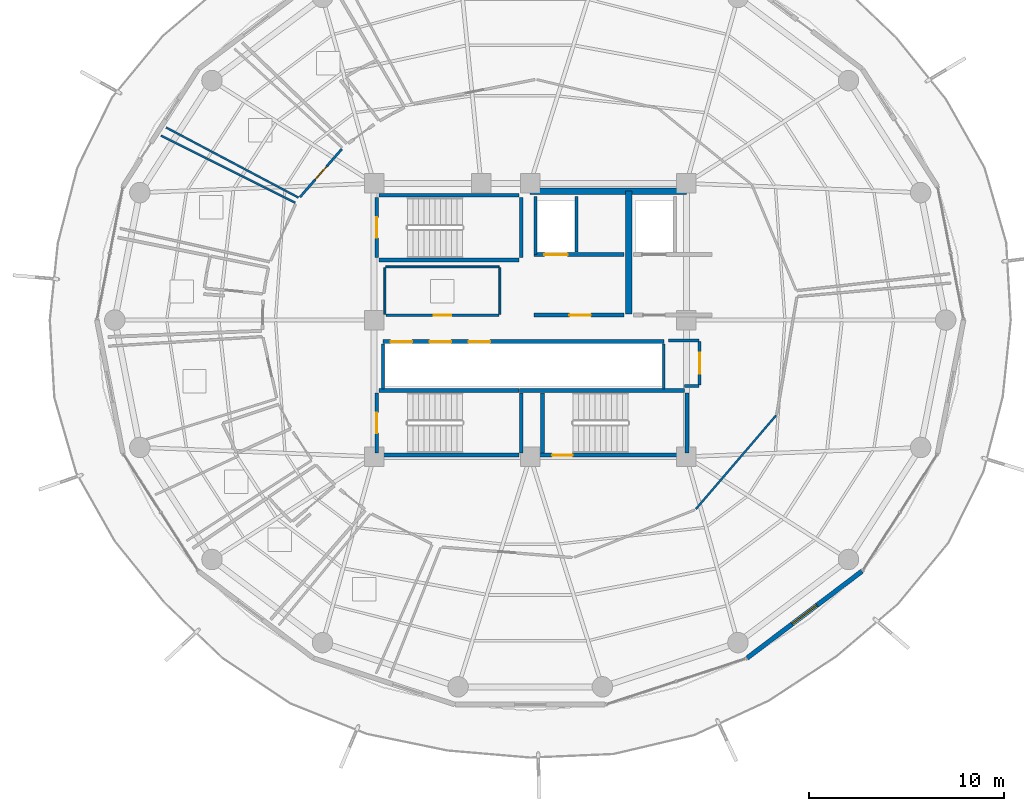
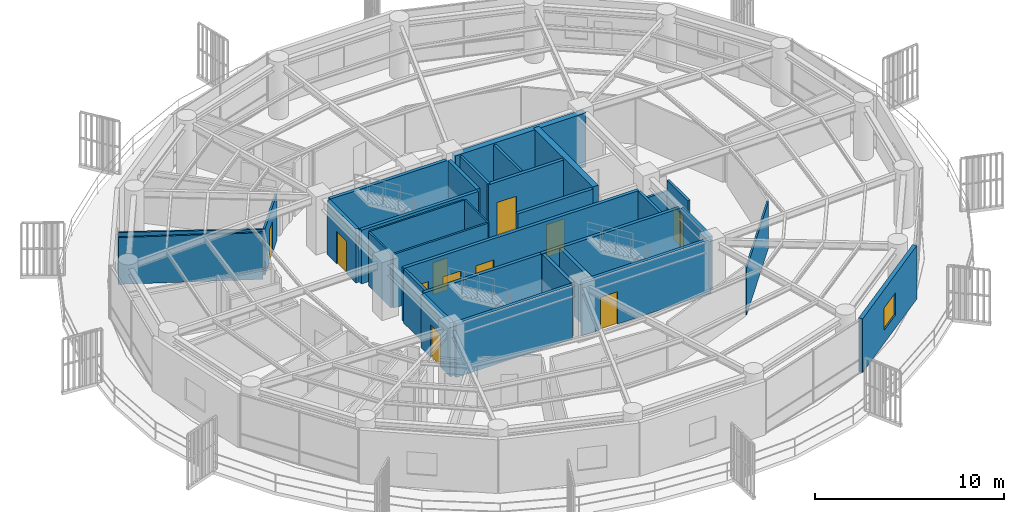
# One storey, part 24 of 30: 33 walls, 11 doors, 1 window, 12 openings.
"""IFC4 building model written with IfcOpenShell, lengths in metres."""

from ifc_helpers import new_model, si_unit, direction, frame, frame_2d, origin, place, context, subcontext, project, spatial, rectangle, extrude, material, layer, layer_set, type_object, element, fill, save


model = new_model("IFC4")

# Units and contexts
model_context = context("Model", 3, precision=1e-05, world=origin(), true_north=direction((0.0, 1.0)))
body_context = subcontext(model_context, "Body", "Model", "MODEL_VIEW")
ifc_project = project(units=[si_unit("LENGTHUNIT", "METRE"), si_unit("AREAUNIT", "SQUARE_METRE"), si_unit("VOLUMEUNIT", "CUBIC_METRE"), si_unit("PLANEANGLEUNIT", "RADIAN"), si_unit("MASSUNIT", "GRAM", prefix="KILO")], contexts=[model_context])

# Site, building, storey
site_placement = place(None, origin())
site = spatial("IfcSite", under=ifc_project, at=site_placement, CompositionType="ELEMENT")
building_placement = place(site_placement, origin())
building = spatial("IfcBuilding", under=site, at=building_placement, Name="Kelanora Arch Commons", CompositionType="ELEMENT")
storey_placement = place(building_placement, frame((0.0, 0.0, 234.449951171875)))
storey = spatial("IfcBuildingStorey", under=building, at=storey_placement, Name="L60", CompositionType="ELEMENT", Elevation=234.449951171875)

# Walls
ifc_material_1 = material(Name="Autoclaved aerated concrete blockwork with fire plaster", Category="masonry")
ifc_layer_1 = layer(ifc_material_1, 0.14990234375)
ifc_layer_set_1 = layer_set([ifc_layer_1], Name="Autoclaved aerated concrete blockwork with fire plaster")
wall_type_1 = type_object("IfcWallType", Name="W-COMP-150", PredefinedType="PARTITIONING", material=ifc_layer_set_1)
wall_1_placement = place(storey_placement, frame((74.280029296875, 61.35009765625, 0.0), z_axis=(0.0, 0.0, 1.0), x_axis=(0.0, 1.0, 0.0)))
element("IfcWall", 1, at=wall_1_placement, inside=storey, type_object=wall_type_1, Name="Firefighting Lift 1 West Shaft Wall L60", PredefinedType="PARTITIONING", context=body_context, shape_type="SweptSolid", body=[
    extrude(rectangle(XDim=2.969970703125, YDim=0.14990234375, at=frame_2d((1.48486328125, 0.0))), origin(), (0.0, 0.0, 1.0), 3.47998046875),
])
wall_2_placement = place(storey_placement, frame((76.360107421875, 61.47998046875, 0.0), z_axis=(0.0, 0.0, 1.0), x_axis=(0.0, 1.0, 0.0)))
element("IfcWall", 2, at=wall_2_placement, inside=storey, type_object=wall_type_1, Name="Firefighting Lift 1 East Shaft Wall L60", PredefinedType="PARTITIONING", context=body_context, shape_type="SweptSolid", body=[
    extrude(rectangle(XDim=2.840087890625, YDim=0.14990234375, at=frame_2d((1.419921875, 0.0))), origin(), (0.0, 0.0, 1.0), 3.47998046875),
])
for number, where, z_axis, x_axis, name in (
    (3, (66.4599609375, 54.47998046875, 0.0), (0.0, 0.0, 1.0), (0.0, 1.0, 0.0), "South Lift Bank West Wall L60"),
    (4, (80.840087890625, 54.47998046875, 0.0), (0.0, 0.0, 1.0), (0.0, 1.0, 0.0), "South Lift Bank East Wall L60"),
):
    element("IfcWall", number, at=place(storey_placement, frame(where, z_axis=z_axis, x_axis=x_axis)), inside=storey, type_object=wall_type_1, Name=name, PredefinedType="PARTITIONING", context=body_context, shape_type="SweptSolid", body=[
        extrude(rectangle(XDim=2.2900390625, YDim=0.14990234375, at=frame_2d((1.14501953125, 0.0))), origin(), (0.0, 0.0, 1.0), 3.47998046875),
    ])

# Wall, opening, door
wall_3_placement = place(storey_placement, frame((82.679931640625, 54.679931640625, 0.0), z_axis=(0.0, 0.0, 1.0), x_axis=(0.0, 1.0, 0.0)))
wall_3 = element("IfcWall", 5, at=wall_3_placement, inside=storey, type_object=wall_type_1, Name="Core Housekeeping Store L60 Entry Partition", PredefinedType="PARTITIONING", context=body_context, shape_type="SweptSolid", body=[
    extrude(rectangle(XDim=2.2099609375, YDim=0.14990234375, at=frame_2d((1.10498046875, 0.0))), origin(), (0.0, 0.0, 1.0), 3.47998046875),
])
opening_1_placement = place(wall_3_placement, frame((0.56494140625, 0.0, 0.0)))
opening_1 = element("IfcOpeningElement", 6, at=opening_1_placement, cuts=wall_3, Name="Opening D-PLT1", PredefinedType="OPENING", context=body_context, shape_type="SweptSolid", body=[
    extrude(rectangle(XDim=1.080078125, YDim=2.10009765625, at=frame_2d((0.5400390625, 1.050048828125))), frame((0.0, 0.0849609375, 0.0), z_axis=(0.0, -1.0, 0.0), x_axis=(1.0, 0.0, 0.0)), (0.0, 0.0, 1.0), 0.169921875),
])
ifc_material_2 = material(Name="Galvanised steel plant and riser fire door", Category="steel")
door_type_1 = type_object("IfcDoorType", Name="D-PLT-110", OperationType="NOTDEFINED", PredefinedType="DOOR", material=ifc_material_2)
door_1_placement = place(opening_1_placement, origin())
door_1 = element("IfcDoor", 7, at=door_1_placement, inside=storey, type_object=door_type_1, Name="Core Housekeeping Store L60 Door", OperationType="SINGLE_SWING_RIGHT", OverallHeight=2.10009765625, OverallWidth=1.080078125, PredefinedType="DOOR", context=body_context, shape_type="SweptSolid", body=[
    extrude(rectangle(XDim=1.080078125, YDim=2.10009765625, at=frame_2d((0.5400390625, 1.050048828125))), frame((0.0, 0.02490234375, 0.0), z_axis=(0.0, -1.0, 0.0), x_axis=(1.0, 0.0, 0.0)), (0.0, 0.0, 1.0), 0.050048828125),
])
fill(opening_1, door_1)

# Walls
wall_4_placement = place(storey_placement, frame((81.89990234375, 54.6201171875, 0.0), z_axis=(0.0, 0.0, 1.0), x_axis=(1.0, 0.0, 0.0)))
element("IfcWall", 8, at=wall_4_placement, inside=storey, type_object=wall_type_1, Name="Core Housekeeping Store L60 Enclosure Partition 1", PredefinedType="PARTITIONING", context=body_context, shape_type="SweptSolid", body=[
    extrude(rectangle(XDim=0.739990234375, YDim=0.14990234375, at=frame_2d((0.3701171875, 0.0))), origin(), (0.0, 0.0, 1.0), 2.775146484375),
])
wall_5_placement = place(storey_placement, frame((82.639892578125, 56.949951171875, 0.0), z_axis=(0.0, 0.0, 1.0), x_axis=(-1.0, 0.0, 0.0)))
element("IfcWall", 9, at=wall_5_placement, inside=storey, type_object=wall_type_1, Name="Core Housekeeping Store L60 Enclosure Partition 3", PredefinedType="PARTITIONING", context=body_context, shape_type="SweptSolid", body=[
    extrude(rectangle(XDim=1.5498046875, YDim=0.14990234375, at=frame_2d((0.77490234375, 0.0))), origin(), (0.0, 0.0, 1.0), 2.775146484375),
])
ifc_material_3 = material(Name="Concrete C50/60", Category="concrete")
ifc_layer_2 = layer(ifc_material_3, 0.35009765625)
ifc_layer_set_2 = layer_set([ifc_layer_2], Name="Concrete C50/60")
wall_type_2 = type_object("IfcWallType", Name="W-CORE-350", PredefinedType="SHEAR", material=ifc_layer_set_2)
wall_6_placement = place(storey_placement, frame((74.0, 64.60009765625, 0.0), z_axis=(0.0, 0.0, 1.0), x_axis=(1.0, 0.0, 0.0)))
element("IfcWall", 10, at=wall_6_placement, inside=storey, type_object=wall_type_2, Name="Core Shear Spine L60-CN-E", PredefinedType="SHEAR", context=body_context, shape_type="SweptSolid", body=[
    extrude(rectangle(XDim=8.0, YDim=0.35009765625, at=frame_2d((4.0, 0.0))), origin(), (0.0, 0.0, 1.0), 3.489990234375),
])
wall_7_placement = place(storey_placement, frame((79.050048828125, 58.300048828125, 0.0), z_axis=(0.0, 0.0, 1.0), x_axis=(0.0, 1.0, 0.0)))
element("IfcWall", 11, at=wall_7_placement, inside=storey, type_object=wall_type_2, Name="Core Shear Spine L60-CE-N", PredefinedType="SHEAR", context=body_context, shape_type="SweptSolid", body=[
    extrude(rectangle(XDim=6.300048828125, YDim=0.35009765625, at=frame_2d((3.14990234375, 0.0))), origin(), (0.0, 0.0, 1.0), 3.489990234375),
])

# Wall, opening, window
ifc_material_4 = material(Name="Precast concrete C40/50 upper-zone terracotta rainscreen", Category="masonry")
ifc_layer_3 = layer(ifc_material_4, 0.239990234375)
ifc_layer_set_3 = layer_set([ifc_layer_3], Name="Precast concrete C40/50 upper-zone terracotta rainscreen")
wall_type_3 = type_object("IfcWallType", Name="W-EXT-TC2", PredefinedType="SOLIDWALL", material=ifc_layer_set_3)
wall_8_placement = place(storey_placement, frame((85.112060546875, 40.6884765625, 0.0), z_axis=(0.0, 0.0, 1.0), x_axis=(0.797701674595, 0.603052268338, 0.0)))
wall_8 = element("IfcWall", 12, at=wall_8_placement, inside=storey, type_object=wall_type_3, Name="Terracotta Exterior Wall L60-B15", PredefinedType="SOLIDWALL", context=body_context, shape_type="SweptSolid", body=[
    extrude(rectangle(XDim=7.373779296875, YDim=0.239990234375, at=frame_2d((3.68701171875, 0.0))), origin(), (0.0, 0.0, 1.0), 3.47509765625),
])
opening_2_placement = place(wall_8_placement, frame((2.886962890625, 0.0, 0.85009765625)))
opening_2 = element("IfcOpeningElement", 13, at=opening_2_placement, cuts=wall_8, Name="Opening WN-01", PredefinedType="OPENING", context=body_context, shape_type="SweptSolid", body=[
    extrude(rectangle(XDim=1.60009765625, YDim=1.449951171875, at=frame_2d((0.800048828125, 0.72509765625))), frame((0.0, 0.1298828125, 0.0), z_axis=(0.0, -1.0, 0.0), x_axis=(1.0, 0.0, 0.0)), (0.0, 0.0, 1.0), 0.260009765625),
])
ifc_material_5 = material(Name="Terracotta-anodised aluminium frame with operable low-E glazing", Category="masonry")
window_type = type_object("IfcWindowType", Name="WIN-CL-18", PartitioningType="DOUBLE_PANEL_VERTICAL", PredefinedType="WINDOW", material=ifc_material_5)
window_placement = place(opening_2_placement, origin())
window = element("IfcWindow", 14, at=window_placement, inside=storey, type_object=window_type, Name="Co-Living Operable Window L60-B15", OverallHeight=1.449951171875, OverallWidth=1.60009765625, PartitioningType="SINGLE_PANEL", PredefinedType="WINDOW", context=body_context, shape_type="SweptSolid", body=[
    extrude(rectangle(XDim=1.60009765625, YDim=1.449951171875, at=frame_2d((0.800048828125, 0.72509765625))), frame((0.0, 0.030029296875, 0.0), z_axis=(0.0, -1.0, 0.0), x_axis=(1.0, 0.0, 0.0)), (0.0, 0.0, 1.0), 0.06005859375),
])
fill(opening_2, window)

# Wall, opening, door
ifc_material_6 = material(Name="Concrete C40/50", Category="concrete")
ifc_layer_4 = layer(ifc_material_6, 0.199951171875)
ifc_layer_set_4 = layer_set([ifc_layer_4], Name="Concrete C40/50")
wall_type_4 = type_object("IfcWallType", Name="W-FFL-200", PredefinedType="SOLIDWALL", material=ifc_layer_set_4)
wall_9_placement = place(storey_placement, frame((74.199951171875, 61.35009765625, 0.0), z_axis=(0.0, 0.0, 1.0), x_axis=(1.0, 0.0, 0.0)))
wall_9 = element("IfcWall", 15, at=wall_9_placement, inside=storey, type_object=wall_type_4, Name="Firefighting Lift 1 Shaft Front L60", PredefinedType="SOLIDWALL", context=body_context, shape_type="SweptSolid", body=[
    extrude(rectangle(XDim=4.60009765625, YDim=0.199951171875, at=frame_2d((2.300048828125, 0.0))), origin(), (0.0, 0.0, 1.0), 3.47998046875),
])
opening_3_placement = place(wall_9_placement, frame((0.52001953125, 0.0, 0.0)))
opening_3 = element("IfcOpeningElement", 16, at=opening_3_placement, cuts=wall_9, Name="Opening LD-FF", PredefinedType="OPENING", context=body_context, shape_type="SweptSolid", body=[
    extrude(rectangle(XDim=1.199951171875, YDim=2.14990234375, at=frame_2d((0.60009765625, 1.074951171875))), frame((0.0, 0.10986328125, 0.0), z_axis=(0.0, -1.0, 0.0), x_axis=(1.0, 0.0, 0.0)), (0.0, 0.0, 1.0), 0.219970703125),
])
ifc_material_7 = material(Name="Fire-rated firefighters lift sliding landing door")
door_type_2 = type_object("IfcDoorType", Name="D-LIFT-FF", OperationType="NOTDEFINED", PredefinedType="DOOR", material=ifc_material_7)
door_2_placement = place(opening_3_placement, origin())
door_2 = element("IfcDoor", 17, at=door_2_placement, inside=storey, type_object=door_type_2, Name="Firefighting Lift LF-FF1 Landing Door L60", OperationType="DOUBLE_DOOR_SLIDING", OverallHeight=2.14990234375, OverallWidth=1.199951171875, PredefinedType="DOOR", context=body_context, shape_type="SweptSolid", body=[
    extrude(rectangle(XDim=1.199951171875, YDim=2.14990234375, at=frame_2d((0.60009765625, 1.074951171875))), frame((0.0, 0.02490234375, 0.0), z_axis=(0.0, -1.0, 0.0), x_axis=(1.0, 0.0, 0.0)), (0.0, 0.0, 1.0), 0.050048828125),
])
fill(opening_3, door_2)

wall_10_placement = place(storey_placement, frame((74.199951171875, 58.25, 0.0), z_axis=(0.0, 0.0, 1.0), x_axis=(1.0, 0.0, 0.0)))
wall_10 = element("IfcWall", 18, at=wall_10_placement, inside=storey, type_object=wall_type_4, Name="Firefighting Lobby 1 Enclosure Wall L60", PredefinedType="SOLIDWALL", context=body_context, shape_type="SweptSolid", body=[
    extrude(rectangle(XDim=4.60009765625, YDim=0.199951171875, at=frame_2d((2.300048828125, 0.0))), origin(), (0.0, 0.0, 1.0), 3.47998046875),
])
opening_4_placement = place(wall_10_placement, frame((1.800048828125, 0.0, 0.0)))
opening_4 = element("IfcOpeningElement", 19, at=opening_4_placement, cuts=wall_10, Name="Opening D-FFL1", PredefinedType="OPENING", context=body_context, shape_type="SweptSolid", body=[
    extrude(rectangle(XDim=1.10009765625, YDim=2.10009765625, at=frame_2d((0.550048828125, 1.050048828125))), frame((0.0, 0.10986328125, 0.0), z_axis=(0.0, -1.0, 0.0), x_axis=(1.0, 0.0, 0.0)), (0.0, 0.0, 1.0), 0.219970703125),
])
ifc_material_8 = material(Name="Smoke-sealed firefighting lobby fire door")
door_type_3 = type_object("IfcDoorType", Name="D-FFL-110", OperationType="NOTDEFINED", PredefinedType="DOOR", material=ifc_material_8)
door_3_placement = place(opening_4_placement, frame((1.10009765625, 0.0, 0.0), z_axis=(0.0, 0.0, 1.0), x_axis=(-1.0, 0.0, 0.0)))
door_3 = element("IfcDoor", 20, at=door_3_placement, inside=storey, type_object=door_type_3, Name="Firefighting Lobby 1 Door L60", OperationType="SINGLE_SWING_LEFT", OverallHeight=2.10009765625, OverallWidth=1.10009765625, PredefinedType="DOOR", context=body_context, shape_type="SweptSolid", body=[
    extrude(rectangle(XDim=1.10009765625, YDim=2.10009765625, at=frame_2d((0.550048828125, 1.050048828125))), frame((0.0, 0.02490234375, 0.0), z_axis=(0.0, -1.0, 0.0), x_axis=(1.0, 0.0, 0.0)), (0.0, 0.0, 1.0), 0.050048828125),
])
fill(opening_4, door_3)

# Wall, openings, doors
wall_11_placement = place(storey_placement, frame((66.449951171875, 56.89990234375, 0.0), z_axis=(0.0, 0.0, 1.0), x_axis=(1.0, 0.0, 0.0)))
wall_11 = element("IfcWall", 21, at=wall_11_placement, inside=storey, type_object=wall_type_4, Name="Mid/High/Express Lift Shaft Front L60", PredefinedType="SOLIDWALL", context=body_context, shape_type="SweptSolid", body=[
    extrude(rectangle(XDim=14.400146484375, YDim=0.199951171875, at=frame_2d((7.2001953125, 0.0))), origin(), (0.0, 0.0, 1.0), 3.47998046875),
])
opening_5_placement = place(wall_11_placement, frame((0.39990234375, 0.0, 0.0)))
opening_5 = element("IfcOpeningElement", 22, at=opening_5_placement, cuts=wall_11, Name="Opening LD-01", PredefinedType="OPENING", context=body_context, shape_type="SweptSolid", body=[
    extrude(rectangle(XDim=1.10009765625, YDim=2.10009765625, at=frame_2d((0.550048828125, 1.050048828125))), frame((0.0, 0.10986328125, 0.0), z_axis=(0.0, -1.0, 0.0), x_axis=(1.0, 0.0, 0.0)), (0.0, 0.0, 1.0), 0.219970703125),
])
opening_6_placement = place(wall_11_placement, frame((2.39990234375, 0.0, 0.0)))
opening_6 = element("IfcOpeningElement", 23, at=opening_6_placement, cuts=wall_11, Name="Opening LD-01", PredefinedType="OPENING", context=body_context, shape_type="SweptSolid", body=[
    extrude(rectangle(XDim=1.10009765625, YDim=2.10009765625, at=frame_2d((0.550048828125, 1.050048828125))), frame((0.0, 0.10986328125, 0.0), z_axis=(0.0, -1.0, 0.0), x_axis=(1.0, 0.0, 0.0)), (0.0, 0.0, 1.0), 0.219970703125),
])
opening_7_placement = place(wall_11_placement, frame((4.39990234375, 0.0, 0.0)))
opening_7 = element("IfcOpeningElement", 24, at=opening_7_placement, cuts=wall_11, Name="Opening LD-01", PredefinedType="OPENING", context=body_context, shape_type="SweptSolid", body=[
    extrude(rectangle(XDim=1.10009765625, YDim=2.10009765625, at=frame_2d((0.550048828125, 1.050048828125))), frame((0.0, 0.10986328125, 0.0), z_axis=(0.0, -1.0, 0.0), x_axis=(1.0, 0.0, 0.0)), (0.0, 0.0, 1.0), 0.219970703125),
])
ifc_material_9 = material(Name="Stainless steel passenger lift sliding landing door", Category="steel")
door_type_4 = type_object("IfcDoorType", Name="D-LIFT-110", OperationType="NOTDEFINED", PredefinedType="DOOR", material=ifc_material_9)
door_4_placement = place(opening_5_placement, origin())
door_4 = element("IfcDoor", 25, at=door_4_placement, inside=storey, type_object=door_type_4, Name="Passenger Lift LF-P4 Landing Door L60", OperationType="DOUBLE_DOOR_SLIDING", OverallHeight=2.10009765625, OverallWidth=1.10009765625, PredefinedType="DOOR", context=body_context, shape_type="SweptSolid", body=[
    extrude(rectangle(XDim=1.10009765625, YDim=2.10009765625, at=frame_2d((0.550048828125, 1.050048828125))), frame((0.0, 0.02490234375, 0.0), z_axis=(0.0, -1.0, 0.0), x_axis=(1.0, 0.0, 0.0)), (0.0, 0.0, 1.0), 0.050048828125),
])
fill(opening_5, door_4)
door_5_placement = place(opening_6_placement, origin())
door_5 = element("IfcDoor", 26, at=door_5_placement, inside=storey, type_object=door_type_4, Name="Passenger Lift LF-P5 Landing Door L60", OperationType="DOUBLE_DOOR_SLIDING", OverallHeight=2.10009765625, OverallWidth=1.10009765625, PredefinedType="DOOR", context=body_context, shape_type="SweptSolid", body=[
    extrude(rectangle(XDim=1.10009765625, YDim=2.10009765625, at=frame_2d((0.550048828125, 1.050048828125))), frame((0.0, 0.02490234375, 0.0), z_axis=(0.0, -1.0, 0.0), x_axis=(1.0, 0.0, 0.0)), (0.0, 0.0, 1.0), 0.050048828125),
])
fill(opening_6, door_5)
door_6_placement = place(opening_7_placement, origin())
door_6 = element("IfcDoor", 27, at=door_6_placement, inside=storey, type_object=door_type_4, Name="Passenger Lift LF-P6 Landing Door L60", OperationType="DOUBLE_DOOR_SLIDING", OverallHeight=2.10009765625, OverallWidth=1.10009765625, PredefinedType="DOOR", context=body_context, shape_type="SweptSolid", body=[
    extrude(rectangle(XDim=1.10009765625, YDim=2.10009765625, at=frame_2d((0.550048828125, 1.050048828125))), frame((0.0, 0.02490234375, 0.0), z_axis=(0.0, -1.0, 0.0), x_axis=(1.0, 0.0, 0.0)), (0.0, 0.0, 1.0), 0.050048828125),
])
fill(opening_7, door_6)

# Walls
ifc_material_10 = material(Name="Lightweight fire-rated acoustic stud partition")
ifc_layer_5 = layer(ifc_material_10, 0.10009765625)
ifc_layer_set_5 = layer_set([ifc_layer_5], Name="Lightweight fire-rated acoustic stud partition")
wall_type_5 = type_object("IfcWallType", Name="W-PART-100", PredefinedType="PARTITIONING", material=ifc_layer_set_5)
wall_12_placement = place(storey_placement, frame((72.449951171875, 58.2900390625, 0.0), z_axis=(0.0, 0.0, 1.0), x_axis=(0.0, 1.0, 0.0)))
element("IfcWall", 28, at=wall_12_placement, inside=storey, type_object=wall_type_5, Name="Reclaimed Core Study Pod Lounge L60 Enclosure Partition 2", PredefinedType="PARTITIONING", context=body_context, shape_type="SweptSolid", body=[
    extrude(rectangle(XDim=2.389892578125, YDim=0.10009765625, at=frame_2d((1.19482421875, 0.0))), origin(), (0.0, 0.0, 1.0), 3.47998046875),
])
wall_13_placement = place(storey_placement, frame((72.409912109375, 60.719970703125, 0.0), z_axis=(0.0, 0.0, 1.0), x_axis=(-1.0, 0.0, 0.0)))
element("IfcWall", 29, at=wall_13_placement, inside=storey, type_object=wall_type_5, Name="Reclaimed Core Study Pod Lounge L60 Enclosure Partition 3", PredefinedType="PARTITIONING", context=body_context, shape_type="SweptSolid", body=[
    extrude(rectangle(XDim=5.81982421875, YDim=0.10009765625, at=frame_2d((2.909912109375, 0.0))), origin(), (0.0, 0.0, 1.0), 3.47998046875),
])
wall_14_placement = place(storey_placement, frame((66.550048828125, 60.679931640625, 0.0), z_axis=(0.0, 0.0, 1.0), x_axis=(0.0, -1.0, 0.0)))
element("IfcWall", 30, at=wall_14_placement, inside=storey, type_object=wall_type_5, Name="Reclaimed Core Study Pod Lounge L60 Enclosure Partition 4", PredefinedType="PARTITIONING", context=body_context, shape_type="SweptSolid", body=[
    extrude(rectangle(XDim=2.389892578125, YDim=0.10009765625, at=frame_2d((1.19482421875, 0.0))), origin(), (0.0, 0.0, 1.0), 3.47998046875),
])
wall_15_placement = place(storey_placement, frame((82.488037109375, 48.3203125, 0.0), z_axis=(0.0, 0.0, 1.0), x_axis=(0.650415654335, 0.759578486133, 0.0)))
element("IfcWall", 31, at=wall_15_placement, inside=storey, type_object=wall_type_5, Name="South-East Shared Study Commons L60 Enclosure Partition 3", PredefinedType="PARTITIONING", context=body_context, shape_type="SweptSolid", body=[
    extrude(rectangle(XDim=6.31591796875, YDim=0.10009765625, at=frame_2d((3.157958984375, 0.0))), origin(), (0.0, 0.0, 1.0), 3.025146484375),
])
wall_16_placement = place(storey_placement, frame((62.131591796875, 64.271728515625, 0.0), z_axis=(0.0, 0.0, 1.0), x_axis=(-0.883813456485, 0.467839474752, 0.0)))
element("IfcWall", 32, at=wall_16_placement, inside=storey, type_object=wall_type_5, Name="Social Sky Lounge L60-02 Enclosure Partition 2", PredefinedType="PARTITIONING", context=body_context, shape_type="SweptSolid", body=[
    extrude(rectangle(XDim=7.672607421875, YDim=0.10009765625, at=frame_2d((3.83642578125, 0.0))), origin(), (0.0, 0.0, 1.0), 3.025146484375),
])
wall_17_placement = place(storey_placement, frame((55.087890625, 67.447998046875, 0.0), z_axis=(0.0, 0.0, 1.0), x_axis=(0.894433542293, -0.447200892688, 0.0)))
element("IfcWall", 33, at=wall_17_placement, inside=storey, type_object=wall_type_5, Name="Shared Cluster Kitchen L60-03 Enclosure Partition 4", PredefinedType="PARTITIONING", context=body_context, shape_type="SweptSolid", body=[
    extrude(rectangle(XDim=7.687744140625, YDim=0.10009765625, at=frame_2d((3.84375, 0.0))), origin(), (0.0, 0.0, 1.0), 3.025146484375),
])

# Wall, opening, door
ifc_material_11 = material(Name="Acoustic twin-stud fire-rated gypsum partition")
ifc_layer_6 = layer(ifc_material_11, 0.1201171875)
ifc_layer_set_6 = layer_set([ifc_layer_6], Name="Acoustic twin-stud fire-rated gypsum partition")
wall_type_6 = type_object("IfcWallType", Name="W-PART-120", PredefinedType="PARTITIONING", material=ifc_layer_set_6)
wall_18_placement = place(storey_placement, frame((66.610107421875, 58.25, 0.0), z_axis=(0.0, 0.0, 1.0), x_axis=(1.0, 0.0, 0.0)))
wall_18 = element("IfcWall", 34, at=wall_18_placement, inside=storey, type_object=wall_type_6, Name="Reclaimed Core Study Pod Lounge L60 Entry Partition", PredefinedType="PARTITIONING", context=body_context, shape_type="SweptSolid", body=[
    extrude(rectangle(XDim=5.77978515625, YDim=0.1201171875, at=frame_2d((2.889892578125, 0.0))), origin(), (0.0, 0.0, 1.0), 3.47998046875),
])
opening_8_placement = place(wall_18_placement, frame((2.43994140625, 0.0, 0.0)))
opening_8 = element("IfcOpeningElement", 35, at=opening_8_placement, cuts=wall_18, Name="Opening D-RM1", PredefinedType="OPENING", context=body_context, shape_type="SweptSolid", body=[
    extrude(rectangle(XDim=0.89990234375, YDim=2.080078125, at=frame_2d((0.449951171875, 1.0400390625))), frame((0.0, 0.070068359375, 0.0), z_axis=(0.0, -1.0, 0.0), x_axis=(1.0, 0.0, 0.0)), (0.0, 0.0, 1.0), 0.14013671875),
])
ifc_material_12 = material(Name="Acoustic fire-rated timber study and lounge door", Category="wood")
door_type_5 = type_object("IfcDoorType", Name="D-ROOM-90", OperationType="NOTDEFINED", PredefinedType="DOOR", material=ifc_material_12)
door_7_placement = place(opening_8_placement, origin())
door_7 = element("IfcDoor", 36, at=door_7_placement, inside=storey, type_object=door_type_5, Name="Reclaimed Core Study Pod Lounge L60 Door", OperationType="SINGLE_SWING_LEFT", OverallHeight=2.080078125, OverallWidth=0.89990234375, PredefinedType="DOOR", context=body_context, shape_type="SweptSolid", body=[
    extrude(rectangle(XDim=0.89990234375, YDim=2.080078125, at=frame_2d((0.449951171875, 1.0400390625))), frame((0.0, 0.02490234375, 0.0), z_axis=(0.0, -1.0, 0.0), x_axis=(1.0, 0.0, 0.0)), (0.0, 0.0, 1.0), 0.050048828125),
])
fill(opening_8, door_7)

wall_19_placement = place(storey_placement, frame((64.3515625, 66.7626953125, 0.0), z_axis=(0.0, 0.0, 1.0), x_axis=(-0.656587461417, -0.75424989593, 0.0)))
wall_19 = element("IfcWall", 37, at=wall_19_placement, inside=storey, type_object=wall_type_6, Name="Social Sky Lounge L60-02 Entry Partition", PredefinedType="PARTITIONING", context=body_context, shape_type="SweptSolid", body=[
    extrude(rectangle(XDim=3.267333984375, YDim=0.1201171875, at=frame_2d((1.6337890625, 0.0))), origin(), (0.0, 0.0, 1.0), 3.025146484375),
])
opening_9_placement = place(wall_19_placement, frame((1.18408203125, 0.0, 0.0)))
opening_9 = element("IfcOpeningElement", 38, at=opening_9_placement, cuts=wall_19, Name="Opening D-RM1", PredefinedType="OPENING", context=body_context, shape_type="SweptSolid", body=[
    extrude(rectangle(XDim=0.89990234375, YDim=2.080078125, at=frame_2d((0.449951171875, 1.0400390625))), frame((0.0, 0.070068359375, 0.0), z_axis=(0.0, -1.0, 0.0), x_axis=(1.0, 0.0, 0.0)), (0.0, 0.0, 1.0), 0.14013671875),
])
door_8_placement = place(opening_9_placement, origin())
door_8 = element("IfcDoor", 39, at=door_8_placement, inside=storey, type_object=door_type_5, Name="Social Sky Lounge L60-02 Door", OperationType="SINGLE_SWING_RIGHT", OverallHeight=2.080078125, OverallWidth=0.89990234375, PredefinedType="DOOR", context=body_context, shape_type="SweptSolid", body=[
    extrude(rectangle(XDim=0.89990234375, YDim=2.080078125, at=frame_2d((0.449951171875, 1.0400390625))), frame((0.0, 0.02490234375, 0.0), z_axis=(0.0, -1.0, 0.0), x_axis=(1.0, 0.0, 0.0)), (0.0, 0.0, 1.0), 0.050048828125),
])
fill(opening_9, door_8)

# Walls
ifc_layer_7 = layer(ifc_material_6, 0.199951171875)
ifc_layer_set_7 = layer_set([ifc_layer_7], Name="Concrete C40/50")
wall_type_7 = type_object("IfcWallType", Name="W-STAIR-200", PredefinedType="SHEAR", material=ifc_layer_set_7)
wall_20_placement = place(storey_placement, frame((66.260009765625, 61.080078125, 0.0), z_axis=(0.0, 0.0, 1.0), x_axis=(1.0, 0.0, 0.0)))
element("IfcWall", 40, at=wall_20_placement, inside=storey, type_object=wall_type_7, Name="Stair ST-T1 Shaft Wall S L60", PredefinedType="SHEAR", context=body_context, shape_type="SweptSolid", body=[
    extrude(rectangle(XDim=7.159912109375, YDim=0.199951171875, at=frame_2d((3.580078125, 0.0))), origin(), (0.0, 0.0, 1.0), 3.489990234375),
])
wall_21_placement = place(storey_placement, frame((73.5400390625, 61.199951171875, 0.0), z_axis=(0.0, 0.0, 1.0), x_axis=(0.0, 1.0, 0.0)))
element("IfcWall", 41, at=wall_21_placement, inside=storey, type_object=wall_type_7, Name="Stair ST-T1 Shaft Wall E L60", PredefinedType="SHEAR", context=body_context, shape_type="SweptSolid", body=[
    extrude(rectangle(XDim=3.070068359375, YDim=0.199951171875, at=frame_2d((1.53515625, 0.0))), origin(), (0.0, 0.0, 1.0), 3.489990234375),
])
wall_22_placement = place(storey_placement, frame((73.419921875, 64.389892578125, 0.0), z_axis=(0.0, 0.0, 1.0), x_axis=(-1.0, 0.0, 0.0)))
element("IfcWall", 42, at=wall_22_placement, inside=storey, type_object=wall_type_7, Name="Stair ST-T1 Shaft Wall N L60", PredefinedType="SHEAR", context=body_context, shape_type="SweptSolid", body=[
    extrude(rectangle(XDim=7.159912109375, YDim=0.199951171875, at=frame_2d((3.580078125, 0.0))), origin(), (0.0, 0.0, 1.0), 3.489990234375),
])

# Wall, opening, door
wall_23_placement = place(storey_placement, frame((66.139892578125, 64.27001953125, 0.0), z_axis=(0.0, 0.0, 1.0), x_axis=(0.0, -1.0, 0.0)))
wall_23 = element("IfcWall", 43, at=wall_23_placement, inside=storey, type_object=wall_type_7, Name="Stair ST-T1 Shaft Wall W L60", PredefinedType="SHEAR", context=body_context, shape_type="SweptSolid", body=[
    extrude(rectangle(XDim=3.070068359375, YDim=0.199951171875, at=frame_2d((1.53515625, 0.0))), origin(), (0.0, 0.0, 1.0), 3.489990234375),
])
opening_10_placement = place(wall_23_placement, frame((1.010009765625, 0.0, 0.0)))
opening_10 = element("IfcOpeningElement", 44, at=opening_10_placement, cuts=wall_23, Name="Opening D-ST1", PredefinedType="OPENING", context=body_context, shape_type="SweptSolid", body=[
    extrude(rectangle(XDim=1.050048828125, YDim=2.10009765625, at=frame_2d((0.52490234375, 1.050048828125))), frame((0.0, 0.10986328125, 0.0), z_axis=(0.0, -1.0, 0.0), x_axis=(1.0, 0.0, 0.0)), (0.0, 0.0, 1.0), 0.219970703125),
])
ifc_material_13 = material(Name="Steel fire-rated stairwell escape door", Category="steel")
door_type_6 = type_object("IfcDoorType", Name="D-STAIR-110", OperationType="NOTDEFINED", PredefinedType="DOOR", material=ifc_material_13)
door_9_placement = place(opening_10_placement, origin())
door_9 = element("IfcDoor", 45, at=door_9_placement, inside=storey, type_object=door_type_6, Name="Stair ST-T1 Escape Door L60", OperationType="SINGLE_SWING_LEFT", OverallHeight=2.10009765625, OverallWidth=1.050048828125, PredefinedType="DOOR", context=body_context, shape_type="SweptSolid", body=[
    extrude(rectangle(XDim=1.050048828125, YDim=2.10009765625, at=frame_2d((0.52490234375, 1.050048828125))), frame((0.0, 0.02490234375, 0.0), z_axis=(0.0, -1.0, 0.0), x_axis=(1.0, 0.0, 0.0)), (0.0, 0.0, 1.0), 0.050048828125),
])
fill(opening_10, door_9)

wall_24_placement = place(storey_placement, frame((74.0, 51.080078125, 0.0), z_axis=(0.0, 0.0, 1.0), x_axis=(1.0, 0.0, 0.0)))
wall_24 = element("IfcWall", 46, at=wall_24_placement, inside=storey, type_object=wall_type_7, Name="Stair ST-T2 Shaft Wall S L60", PredefinedType="SHEAR", context=body_context, shape_type="SweptSolid", body=[
    extrude(rectangle(XDim=7.89990234375, YDim=0.199951171875, at=frame_2d((3.949951171875, 0.0))), origin(), (0.0, 0.0, 1.0), 3.489990234375),
])
opening_11_placement = place(wall_24_placement, frame((1.1201171875, 0.0, 0.0)))
opening_11 = element("IfcOpeningElement", 47, at=opening_11_placement, cuts=wall_24, Name="Opening D-ST1", PredefinedType="OPENING", context=body_context, shape_type="SweptSolid", body=[
    extrude(rectangle(XDim=1.050048828125, YDim=2.10009765625, at=frame_2d((0.52490234375, 1.050048828125))), frame((0.0, 0.10986328125, 0.0), z_axis=(0.0, -1.0, 0.0), x_axis=(1.0, 0.0, 0.0)), (0.0, 0.0, 1.0), 0.219970703125),
])
door_10_placement = place(opening_11_placement, origin())
door_10 = element("IfcDoor", 48, at=door_10_placement, inside=storey, type_object=door_type_6, Name="Stair ST-T2 Escape Door L60", OperationType="SINGLE_SWING_LEFT", OverallHeight=2.10009765625, OverallWidth=1.050048828125, PredefinedType="DOOR", context=body_context, shape_type="SweptSolid", body=[
    extrude(rectangle(XDim=1.050048828125, YDim=2.10009765625, at=frame_2d((0.52490234375, 1.050048828125))), frame((0.0, 0.02490234375, 0.0), z_axis=(0.0, -1.0, 0.0), x_axis=(1.0, 0.0, 0.0)), (0.0, 0.0, 1.0), 0.050048828125),
])
fill(opening_11, door_10)

# Walls
wall_25_placement = place(storey_placement, frame((82.02001953125, 51.199951171875, 0.0), z_axis=(0.0, 0.0, 1.0), x_axis=(0.0, 1.0, 0.0)))
element("IfcWall", 49, at=wall_25_placement, inside=storey, type_object=wall_type_7, Name="Stair ST-T2 Shaft Wall E L60", PredefinedType="SHEAR", context=body_context, shape_type="SweptSolid", body=[
    extrude(rectangle(XDim=3.070068359375, YDim=0.199951171875, at=frame_2d((1.53515625, 0.0))), origin(), (0.0, 0.0, 1.0), 3.489990234375),
])
wall_26_placement = place(storey_placement, frame((81.89990234375, 54.389892578125, 0.0), z_axis=(0.0, 0.0, 1.0), x_axis=(-1.0, 0.0, 0.0)))
element("IfcWall", 50, at=wall_26_placement, inside=storey, type_object=wall_type_7, Name="Stair ST-T2 Shaft Wall N L60", PredefinedType="SHEAR", context=body_context, shape_type="SweptSolid", body=[
    extrude(rectangle(XDim=8.4599609375, YDim=0.199951171875, at=frame_2d((4.22998046875, 0.0))), origin(), (0.0, 0.0, 1.0), 3.489990234375),
])
wall_27_placement = place(storey_placement, frame((74.6201171875, 54.27001953125, 0.0), z_axis=(0.0, 0.0, 1.0), x_axis=(0.0, -1.0, 0.0)))
element("IfcWall", 51, at=wall_27_placement, inside=storey, type_object=wall_type_7, Name="Stair ST-T2 Shaft Wall W L60", PredefinedType="SHEAR", context=body_context, shape_type="SweptSolid", body=[
    extrude(rectangle(XDim=3.070068359375, YDim=0.199951171875, at=frame_2d((1.53515625, 0.0))), origin(), (0.0, 0.0, 1.0), 3.489990234375),
])
wall_28_placement = place(storey_placement, frame((66.260009765625, 51.080078125, 0.0), z_axis=(0.0, 0.0, 1.0), x_axis=(1.0, 0.0, 0.0)))
element("IfcWall", 52, at=wall_28_placement, inside=storey, type_object=wall_type_7, Name="Stair ST-T3 Shaft Wall S L60", PredefinedType="SHEAR", context=body_context, shape_type="SweptSolid", body=[
    extrude(rectangle(XDim=7.159912109375, YDim=0.199951171875, at=frame_2d((3.580078125, 0.0))), origin(), (0.0, 0.0, 1.0), 3.489990234375),
])
wall_29_placement = place(storey_placement, frame((73.5400390625, 51.199951171875, 0.0), z_axis=(0.0, 0.0, 1.0), x_axis=(0.0, 1.0, 0.0)))
element("IfcWall", 53, at=wall_29_placement, inside=storey, type_object=wall_type_7, Name="Stair ST-T3 Shaft Wall E L60", PredefinedType="SHEAR", context=body_context, shape_type="SweptSolid", body=[
    extrude(rectangle(XDim=3.070068359375, YDim=0.199951171875, at=frame_2d((1.53515625, 0.0))), origin(), (0.0, 0.0, 1.0), 3.489990234375),
])
wall_30_placement = place(storey_placement, frame((73.419921875, 54.389892578125, 0.0), z_axis=(0.0, 0.0, 1.0), x_axis=(-1.0, 0.0, 0.0)))
element("IfcWall", 54, at=wall_30_placement, inside=storey, type_object=wall_type_7, Name="Stair ST-T3 Shaft Wall N L60", PredefinedType="SHEAR", context=body_context, shape_type="SweptSolid", body=[
    extrude(rectangle(XDim=7.159912109375, YDim=0.199951171875, at=frame_2d((3.580078125, 0.0))), origin(), (0.0, 0.0, 1.0), 3.489990234375),
])

# Wall, opening, door
wall_31_placement = place(storey_placement, frame((66.139892578125, 54.27001953125, 0.0), z_axis=(0.0, 0.0, 1.0), x_axis=(0.0, -1.0, 0.0)))
wall_31 = element("IfcWall", 55, at=wall_31_placement, inside=storey, type_object=wall_type_7, Name="Stair ST-T3 Shaft Wall W L60", PredefinedType="SHEAR", context=body_context, shape_type="SweptSolid", body=[
    extrude(rectangle(XDim=3.070068359375, YDim=0.199951171875, at=frame_2d((1.53515625, 0.0))), origin(), (0.0, 0.0, 1.0), 3.489990234375),
])
opening_12_placement = place(wall_31_placement, frame((1.010009765625, 0.0, 0.0)))
opening_12 = element("IfcOpeningElement", 56, at=opening_12_placement, cuts=wall_31, Name="Opening D-ST1", PredefinedType="OPENING", context=body_context, shape_type="SweptSolid", body=[
    extrude(rectangle(XDim=1.050048828125, YDim=2.10009765625, at=frame_2d((0.52490234375, 1.050048828125))), frame((0.0, 0.10986328125, 0.0), z_axis=(0.0, -1.0, 0.0), x_axis=(1.0, 0.0, 0.0)), (0.0, 0.0, 1.0), 0.219970703125),
])
door_11_placement = place(opening_12_placement, origin())
door_11 = element("IfcDoor", 57, at=door_11_placement, inside=storey, type_object=door_type_6, Name="Stair ST-T3 Escape Door L60", OperationType="SINGLE_SWING_LEFT", OverallHeight=2.10009765625, OverallWidth=1.050048828125, PredefinedType="DOOR", context=body_context, shape_type="SweptSolid", body=[
    extrude(rectangle(XDim=1.050048828125, YDim=2.10009765625, at=frame_2d((0.52490234375, 1.050048828125))), frame((0.0, 0.02490234375, 0.0), z_axis=(0.0, -1.0, 0.0), x_axis=(1.0, 0.0, 0.0)), (0.0, 0.0, 1.0), 0.050048828125),
])
fill(opening_12, door_11)

save(model, "model.ifc")
